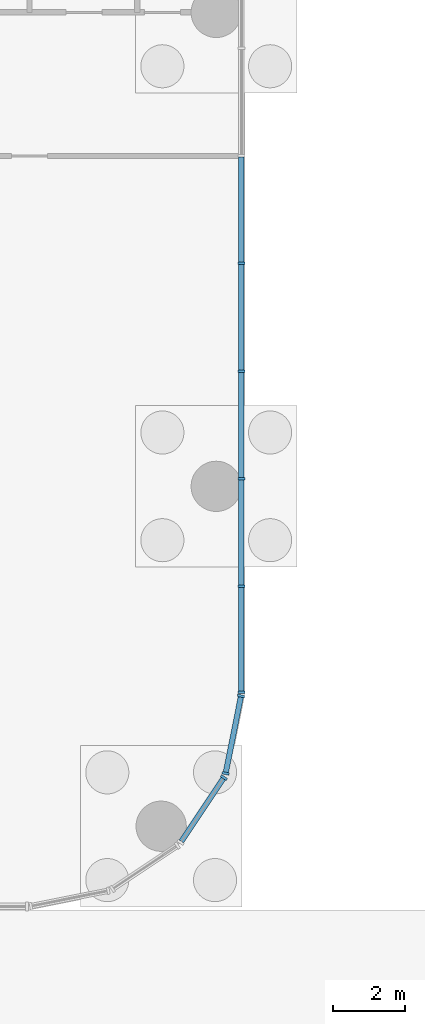
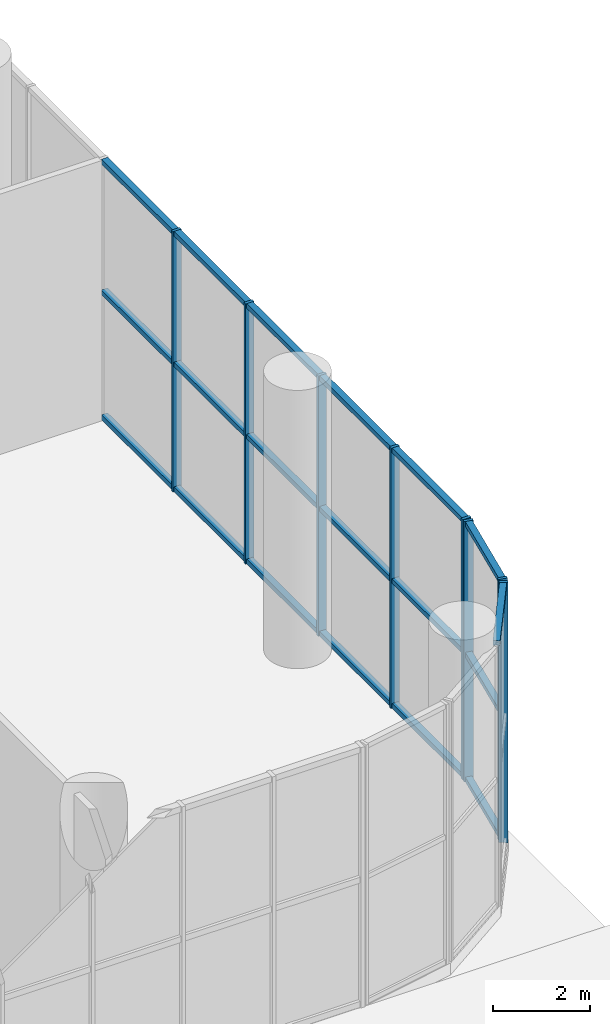
# One storey, part 10 of 26: 27 members, 3 elements without a shape of their own.
"""IFC4 building model written with IfcOpenShell, lengths in metres."""

from ifc_helpers import new_model, si_unit, direction, frame, origin, origin_2d, place, context, subcontext, project, spatial, rectangle, extrude, material, layer, layer_set, material_profile, profile_set, type_object, element, aggregate, save


model = new_model("IFC4")

# Units and contexts
model_context = context("Model", 3, precision=1e-05, world=origin(), true_north=direction((0.0, 1.0)))
body_context = subcontext(model_context, "Body", "Model", "MODEL_VIEW")
ifc_project = project(units=[si_unit("LENGTHUNIT", "METRE"), si_unit("AREAUNIT", "SQUARE_METRE"), si_unit("VOLUMEUNIT", "CUBIC_METRE"), si_unit("PLANEANGLEUNIT", "RADIAN"), si_unit("MASSUNIT", "GRAM", prefix="KILO")], contexts=[model_context])

# Site, building, storey
site_placement = place(None, origin())
site = spatial("IfcSite", under=ifc_project, at=site_placement, CompositionType="ELEMENT")
building_placement = place(site_placement, origin())
building = spatial("IfcBuilding", under=site, at=building_placement, Name="Torana Hotel and Residences", CompositionType="ELEMENT")
storey_placement = place(building_placement, origin())
storey = spatial("IfcBuildingStorey", under=building, at=storey_placement, Name="L00", CompositionType="ELEMENT", Elevation=0.0)

# Curtain wall, member
ifc_material_1 = material(Name="Dark anodised aluminium", Category="aluminium")
ifc_layer = layer(ifc_material_1, 0.199951171875)
ifc_layer_set = layer_set([ifc_layer], Name="CW1 PODIUM SHOPFRONT CURTAIN WALL")
curtain_wall_type = type_object("IfcCurtainWallType", Name="CW1 PODIUM SHOPFRONT CURTAIN WALL", PredefinedType="NOTDEFINED", material=ifc_layer_set)
curtain_wall_1_placement = place(storey_placement, origin())
curtain_wall_1 = element("IfcCurtainWall", 1, at=curtain_wall_1_placement, inside=storey, type_object=curtain_wall_type, Name="Curtain wall CW1 L00 e1.3-1", PredefinedType="NOTDEFINED")
ifc_material_2 = material(Name="Dark anodised aluminium", Category="aluminium")
ifc_material_profile_1 = material_profile(ifc_material_2, rectangle(XDim=0.199951171875, YDim=0.070068359375, at=origin_2d()), Name="CW1 MULLION 70x200")
ifc_profile_set_1 = profile_set([ifc_material_profile_1], Name="Dark anodised aluminium")
member_type_1 = type_object("IfcMemberType", Name="CW1 MULLION 70x200", PredefinedType="MULLION", material=ifc_profile_set_1)
member_1_placement = place(storey_placement, frame((47.4130859375, -36.31103515625, 0.0), z_axis=(0.0, 0.0, 1.0), x_axis=(-0.831459585616, 0.555585238723, 0.0)))
member_1 = element("IfcMember", 2, at=member_1_placement, type_object=member_type_1, Name="CW1 mullion 2", PredefinedType="MULLION", context=body_context, shape_type="SweptSolid", body=[
    extrude(rectangle(XDim=0.199951171875, YDim=0.070068359375, at=origin_2d()), origin(), (0.0, 0.0, 1.0), 6.550048828125),
])

# Curtain wall, members
curtain_wall_2_placement = place(storey_placement, origin())
curtain_wall_2 = element("IfcCurtainWall", 3, at=curtain_wall_2_placement, inside=storey, type_object=curtain_wall_type, Name="Curtain wall CW1 L00 e1.4-1", PredefinedType="NOTDEFINED")
member_2_placement = place(storey_placement, frame((47.461669921875, -36.193359375, 0.0), z_axis=(0.0, 0.0, 1.0), x_axis=(-0.980787135335, 0.195080996415, 0.0)))
member_2 = element("IfcMember", 4, at=member_2_placement, type_object=member_type_1, Name="CW1 mullion 1", PredefinedType="MULLION", context=body_context, shape_type="SweptSolid", body=[
    extrude(rectangle(XDim=0.199951171875, YDim=0.070068359375, at=origin_2d()), origin(), (0.0, 0.0, 1.0), 6.550048828125),
])
member_3_placement = place(storey_placement, frame((47.890380859375, -34.038818359375, 0.0), z_axis=(0.0, 0.0, 1.0), x_axis=(-0.980787135335, 0.195080996415, 0.0)))
member_3 = element("IfcMember", 5, at=member_3_placement, type_object=member_type_1, Name="CW1 mullion 2", PredefinedType="MULLION", context=body_context, shape_type="SweptSolid", body=[
    extrude(rectangle(XDim=0.199951171875, YDim=0.070068359375, at=origin_2d()), origin(), (0.0, 0.0, 1.0), 6.550048828125),
])

curtain_wall_3_placement = place(storey_placement, origin())
curtain_wall_3 = element("IfcCurtainWall", 6, at=curtain_wall_3_placement, inside=storey, type_object=curtain_wall_type, Name="Curtain wall CW1 L00 e1.5-1", PredefinedType="NOTDEFINED")
member_4_placement = place(storey_placement, frame((47.89990234375, -33.9404296875, 0.0), z_axis=(0.0, 0.0, 1.0), x_axis=(-1.0, 0.0, 0.0)))
member_4 = element("IfcMember", 7, at=member_4_placement, type_object=member_type_1, Name="CW1 mullion 1", PredefinedType="MULLION", context=body_context, shape_type="SweptSolid", body=[
    extrude(rectangle(XDim=0.199951171875, YDim=0.070068359375, at=origin_2d()), origin(), (0.0, 0.0, 1.0), 6.550048828125),
])
member_5_placement = place(storey_placement, frame((47.89990234375, -30.9794921875, 0.0), z_axis=(0.0, 0.0, 1.0), x_axis=(-1.0, 0.0, 0.0)))
member_5 = element("IfcMember", 8, at=member_5_placement, type_object=member_type_1, Name="CW1 mullion 2", PredefinedType="MULLION", context=body_context, shape_type="SweptSolid", body=[
    extrude(rectangle(XDim=0.199951171875, YDim=0.070068359375, at=origin_2d()), origin(), (0.0, 0.0, 1.0), 6.550048828125),
])
member_6_placement = place(storey_placement, frame((47.89990234375, -27.983642578125, 0.0), z_axis=(0.0, 0.0, 1.0), x_axis=(-1.0, 0.0, 0.0)))
member_6 = element("IfcMember", 9, at=member_6_placement, type_object=member_type_1, Name="CW1 mullion 3", PredefinedType="MULLION", context=body_context, shape_type="SweptSolid", body=[
    extrude(rectangle(XDim=0.199951171875, YDim=0.070068359375, at=origin_2d()), origin(), (0.0, 0.0, 1.0), 6.550048828125),
])
member_7_placement = place(storey_placement, frame((47.89990234375, -24.98779296875, 0.0), z_axis=(0.0, 0.0, 1.0), x_axis=(-1.0, 0.0, 0.0)))
member_7 = element("IfcMember", 10, at=member_7_placement, type_object=member_type_1, Name="CW1 mullion 4", PredefinedType="MULLION", context=body_context, shape_type="SweptSolid", body=[
    extrude(rectangle(XDim=0.199951171875, YDim=0.070068359375, at=origin_2d()), origin(), (0.0, 0.0, 1.0), 6.550048828125),
])
member_8_placement = place(storey_placement, frame((47.89990234375, -21.99169921875, 0.0), z_axis=(0.0, 0.0, 1.0), x_axis=(-1.0, 0.0, 0.0)))
member_8 = element("IfcMember", 11, at=member_8_placement, type_object=member_type_1, Name="CW1 mullion 5", PredefinedType="MULLION", context=body_context, shape_type="SweptSolid", body=[
    extrude(rectangle(XDim=0.199951171875, YDim=0.070068359375, at=origin_2d()), origin(), (0.0, 0.0, 1.0), 6.550048828125),
])

# Member
ifc_material_3 = material(Name="Dark anodised aluminium", Category="aluminium")
ifc_material_profile_2 = material_profile(ifc_material_3, rectangle(XDim=0.14990234375, YDim=0.1201171875, at=origin_2d()), Name="CW1 TRANSOM 150x120")
ifc_profile_set_2 = profile_set([ifc_material_profile_2], Name="Dark anodised aluminium")
member_type_2 = type_object("IfcMemberType", Name="CW1 TRANSOM 150x120", PredefinedType="USERDEFINED", material=ifc_profile_set_2)
member_9_placement = place(storey_placement, frame((46.22607421875, -38.08740234375, 6.489990234375), z_axis=(0.555557822908, 0.83147790434, 0.0), x_axis=(-0.83147790434, 0.555557822908, 0.0)))
member_9 = element("IfcMember", 12, at=member_9_placement, type_object=member_type_2, Name="CW1 transom 1.3", ObjectType="TRANSOM", PredefinedType="USERDEFINED", context=body_context, shape_type="SweptSolid", body=[
    extrude(rectangle(XDim=0.14990234375, YDim=0.1201171875, at=origin_2d()), origin(), (0.0, 0.0, 1.0), 2.1015625),
])

aggregate(curtain_wall_1, [member_1, member_9])

member_10_placement = place(storey_placement, frame((47.468505859375, -36.1591796875, 0.06005859375), z_axis=(0.195144730313, 0.980774456351, 0.0), x_axis=(-0.980774456351, 0.195144730313, 0.0)))
member_10 = element("IfcMember", 13, at=member_10_placement, type_object=member_type_2, Name="CW1 transom 1.1", ObjectType="TRANSOM", PredefinedType="USERDEFINED", context=body_context, shape_type="SweptSolid", body=[
    extrude(rectangle(XDim=0.14990234375, YDim=0.1201171875, at=origin_2d()), origin(), (0.0, 0.0, 1.0), 2.126708984375),
])

member_11_placement = place(storey_placement, frame((47.468505859375, -36.1591796875, 3.199951171875), z_axis=(0.195144730313, 0.980774456351, 0.0), x_axis=(-0.980774456351, 0.195144730313, 0.0)))
member_11 = element("IfcMember", 14, at=member_11_placement, type_object=member_type_2, Name="CW1 transom 1.2", ObjectType="TRANSOM", PredefinedType="USERDEFINED", context=body_context, shape_type="SweptSolid", body=[
    extrude(rectangle(XDim=0.14990234375, YDim=0.1201171875, at=origin_2d()), origin(), (0.0, 0.0, 1.0), 2.126708984375),
])

member_12_placement = place(storey_placement, frame((47.468505859375, -36.1591796875, 6.489990234375), z_axis=(0.195144730313, 0.980774456351, 0.0), x_axis=(-0.980774456351, 0.195144730313, 0.0)))
member_12 = element("IfcMember", 15, at=member_12_placement, type_object=member_type_2, Name="CW1 transom 1.3", ObjectType="TRANSOM", PredefinedType="USERDEFINED", context=body_context, shape_type="SweptSolid", body=[
    extrude(rectangle(XDim=0.14990234375, YDim=0.1201171875, at=origin_2d()), origin(), (0.0, 0.0, 1.0), 2.126708984375),
])

aggregate(curtain_wall_2, [member_2, member_3, member_10, member_11, member_12])

member_13_placement = place(storey_placement, frame((47.89990234375, -33.905517578125, 0.06005859375), z_axis=(0.0, 1.0, 0.0), x_axis=(-1.0, 0.0, 0.0)))
member_13 = element("IfcMember", 16, at=member_13_placement, type_object=member_type_2, Name="CW1 transom 1.1", ObjectType="TRANSOM", PredefinedType="USERDEFINED", context=body_context, shape_type="SweptSolid", body=[
    extrude(rectangle(XDim=0.14990234375, YDim=0.1201171875, at=origin_2d()), origin(), (0.0, 0.0, 1.0), 2.89111328125),
])

member_14_placement = place(storey_placement, frame((47.89990234375, -33.905517578125, 3.199951171875), z_axis=(0.0, 1.0, 0.0), x_axis=(-1.0, 0.0, 0.0)))
member_14 = element("IfcMember", 17, at=member_14_placement, type_object=member_type_2, Name="CW1 transom 1.2", ObjectType="TRANSOM", PredefinedType="USERDEFINED", context=body_context, shape_type="SweptSolid", body=[
    extrude(rectangle(XDim=0.14990234375, YDim=0.1201171875, at=origin_2d()), origin(), (0.0, 0.0, 1.0), 2.89111328125),
])

member_15_placement = place(storey_placement, frame((47.89990234375, -33.905517578125, 6.489990234375), z_axis=(0.0, 1.0, 0.0), x_axis=(-1.0, 0.0, 0.0)))
member_15 = element("IfcMember", 18, at=member_15_placement, type_object=member_type_2, Name="CW1 transom 1.3", ObjectType="TRANSOM", PredefinedType="USERDEFINED", context=body_context, shape_type="SweptSolid", body=[
    extrude(rectangle(XDim=0.14990234375, YDim=0.1201171875, at=origin_2d()), origin(), (0.0, 0.0, 1.0), 2.89111328125),
])

member_16_placement = place(storey_placement, frame((47.89990234375, -30.944580078125, 0.06005859375), z_axis=(0.0, 1.0, 0.0), x_axis=(-1.0, 0.0, 0.0)))
member_16 = element("IfcMember", 19, at=member_16_placement, type_object=member_type_2, Name="CW1 transom 2.1", ObjectType="TRANSOM", PredefinedType="USERDEFINED", context=body_context, shape_type="SweptSolid", body=[
    extrude(rectangle(XDim=0.14990234375, YDim=0.1201171875, at=origin_2d()), origin(), (0.0, 0.0, 1.0), 2.926025390625),
])

member_17_placement = place(storey_placement, frame((47.89990234375, -30.944580078125, 3.199951171875), z_axis=(0.0, 1.0, 0.0), x_axis=(-1.0, 0.0, 0.0)))
member_17 = element("IfcMember", 20, at=member_17_placement, type_object=member_type_2, Name="CW1 transom 2.2", ObjectType="TRANSOM", PredefinedType="USERDEFINED", context=body_context, shape_type="SweptSolid", body=[
    extrude(rectangle(XDim=0.14990234375, YDim=0.1201171875, at=origin_2d()), origin(), (0.0, 0.0, 1.0), 2.926025390625),
])

member_18_placement = place(storey_placement, frame((47.89990234375, -30.944580078125, 6.489990234375), z_axis=(0.0, 1.0, 0.0), x_axis=(-1.0, 0.0, 0.0)))
member_18 = element("IfcMember", 21, at=member_18_placement, type_object=member_type_2, Name="CW1 transom 2.3", ObjectType="TRANSOM", PredefinedType="USERDEFINED", context=body_context, shape_type="SweptSolid", body=[
    extrude(rectangle(XDim=0.14990234375, YDim=0.1201171875, at=origin_2d()), origin(), (0.0, 0.0, 1.0), 2.926025390625),
])

member_19_placement = place(storey_placement, frame((47.89990234375, -27.948486328125, 0.06005859375), z_axis=(0.0, 1.0, 0.0), x_axis=(-1.0, 0.0, 0.0)))
member_19 = element("IfcMember", 22, at=member_19_placement, type_object=member_type_2, Name="CW1 transom 3.1", ObjectType="TRANSOM", PredefinedType="USERDEFINED", context=body_context, shape_type="SweptSolid", body=[
    extrude(rectangle(XDim=0.14990234375, YDim=0.1201171875, at=origin_2d()), origin(), (0.0, 0.0, 1.0), 2.92578125),
])

member_20_placement = place(storey_placement, frame((47.89990234375, -27.948486328125, 3.199951171875), z_axis=(0.0, 1.0, 0.0), x_axis=(-1.0, 0.0, 0.0)))
member_20 = element("IfcMember", 23, at=member_20_placement, type_object=member_type_2, Name="CW1 transom 3.2", ObjectType="TRANSOM", PredefinedType="USERDEFINED", context=body_context, shape_type="SweptSolid", body=[
    extrude(rectangle(XDim=0.14990234375, YDim=0.1201171875, at=origin_2d()), origin(), (0.0, 0.0, 1.0), 2.92578125),
])

member_21_placement = place(storey_placement, frame((47.89990234375, -27.948486328125, 6.489990234375), z_axis=(0.0, 1.0, 0.0), x_axis=(-1.0, 0.0, 0.0)))
member_21 = element("IfcMember", 24, at=member_21_placement, type_object=member_type_2, Name="CW1 transom 3.3", ObjectType="TRANSOM", PredefinedType="USERDEFINED", context=body_context, shape_type="SweptSolid", body=[
    extrude(rectangle(XDim=0.14990234375, YDim=0.1201171875, at=origin_2d()), origin(), (0.0, 0.0, 1.0), 2.92578125),
])

member_22_placement = place(storey_placement, frame((47.89990234375, -24.95263671875, 0.06005859375), z_axis=(0.0, 1.0, 0.0), x_axis=(-1.0, 0.0, 0.0)))
member_22 = element("IfcMember", 25, at=member_22_placement, type_object=member_type_2, Name="CW1 transom 4.1", ObjectType="TRANSOM", PredefinedType="USERDEFINED", context=body_context, shape_type="SweptSolid", body=[
    extrude(rectangle(XDim=0.14990234375, YDim=0.1201171875, at=origin_2d()), origin(), (0.0, 0.0, 1.0), 2.92578125),
])

member_23_placement = place(storey_placement, frame((47.89990234375, -24.95263671875, 3.199951171875), z_axis=(0.0, 1.0, 0.0), x_axis=(-1.0, 0.0, 0.0)))
member_23 = element("IfcMember", 26, at=member_23_placement, type_object=member_type_2, Name="CW1 transom 4.2", ObjectType="TRANSOM", PredefinedType="USERDEFINED", context=body_context, shape_type="SweptSolid", body=[
    extrude(rectangle(XDim=0.14990234375, YDim=0.1201171875, at=origin_2d()), origin(), (0.0, 0.0, 1.0), 2.92578125),
])

member_24_placement = place(storey_placement, frame((47.89990234375, -24.95263671875, 6.489990234375), z_axis=(0.0, 1.0, 0.0), x_axis=(-1.0, 0.0, 0.0)))
member_24 = element("IfcMember", 27, at=member_24_placement, type_object=member_type_2, Name="CW1 transom 4.3", ObjectType="TRANSOM", PredefinedType="USERDEFINED", context=body_context, shape_type="SweptSolid", body=[
    extrude(rectangle(XDim=0.14990234375, YDim=0.1201171875, at=origin_2d()), origin(), (0.0, 0.0, 1.0), 2.92578125),
])

member_25_placement = place(storey_placement, frame((47.89990234375, -21.956787109375, 0.06005859375), z_axis=(0.0, 1.0, 0.0), x_axis=(-1.0, 0.0, 0.0)))
member_25 = element("IfcMember", 28, at=member_25_placement, type_object=member_type_2, Name="CW1 transom 5.1", ObjectType="TRANSOM", PredefinedType="USERDEFINED", context=body_context, shape_type="SweptSolid", body=[
    extrude(rectangle(XDim=0.14990234375, YDim=0.1201171875, at=origin_2d()), origin(), (0.0, 0.0, 1.0), 2.92578125),
])

member_26_placement = place(storey_placement, frame((47.89990234375, -21.956787109375, 3.199951171875), z_axis=(0.0, 1.0, 0.0), x_axis=(-1.0, 0.0, 0.0)))
member_26 = element("IfcMember", 29, at=member_26_placement, type_object=member_type_2, Name="CW1 transom 5.2", ObjectType="TRANSOM", PredefinedType="USERDEFINED", context=body_context, shape_type="SweptSolid", body=[
    extrude(rectangle(XDim=0.14990234375, YDim=0.1201171875, at=origin_2d()), origin(), (0.0, 0.0, 1.0), 2.92578125),
])

member_27_placement = place(storey_placement, frame((47.89990234375, -21.956787109375, 6.489990234375), z_axis=(0.0, 1.0, 0.0), x_axis=(-1.0, 0.0, 0.0)))
member_27 = element("IfcMember", 30, at=member_27_placement, type_object=member_type_2, Name="CW1 transom 5.3", ObjectType="TRANSOM", PredefinedType="USERDEFINED", context=body_context, shape_type="SweptSolid", body=[
    extrude(rectangle(XDim=0.14990234375, YDim=0.1201171875, at=origin_2d()), origin(), (0.0, 0.0, 1.0), 2.92578125),
])

aggregate(curtain_wall_3, [member_4, member_5, member_6, member_7, member_8, member_13, member_14, member_15, member_16, member_17, member_18, member_19, member_20, member_21, member_22, member_23, member_24, member_25, member_26, member_27])

save(model, "model.ifc")
